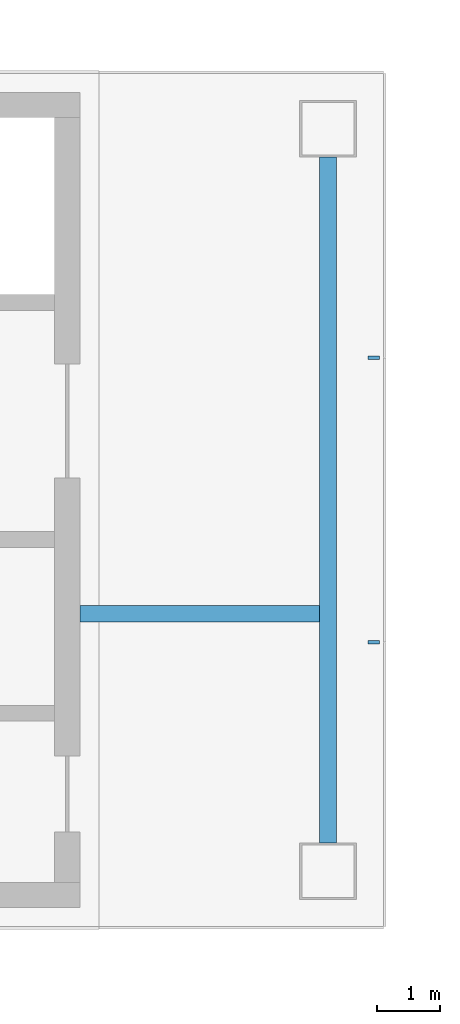
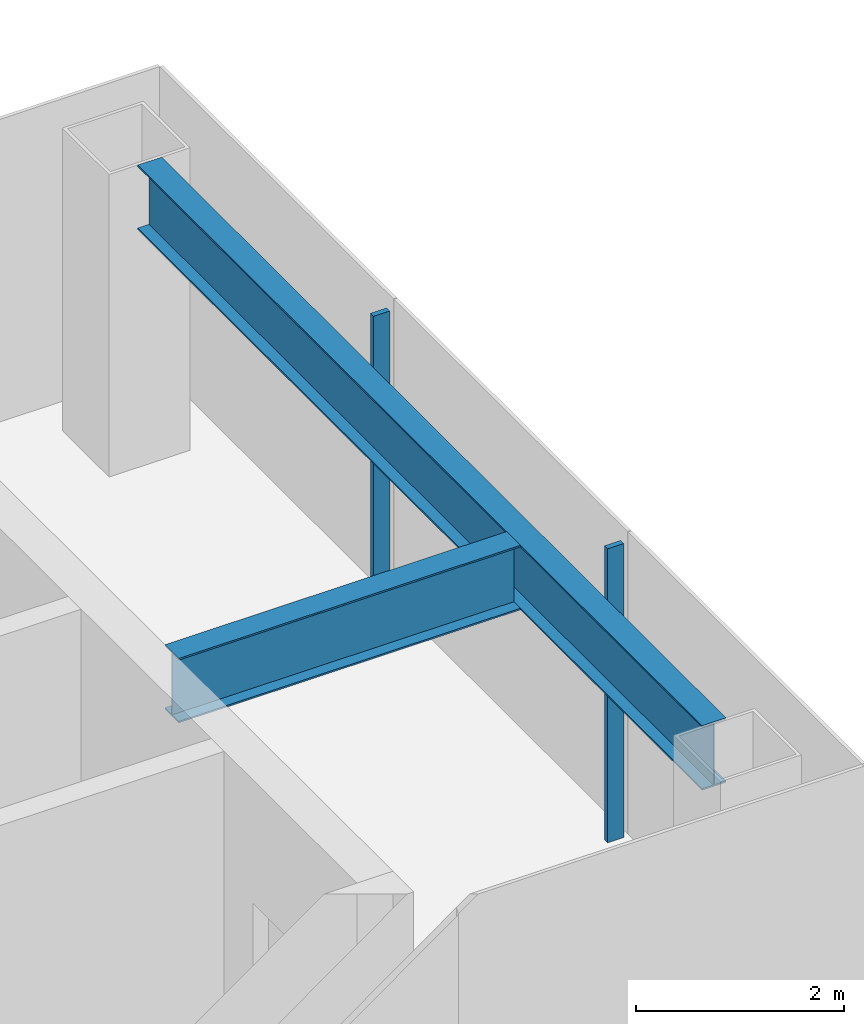
# One storey, part 4 of 16: 2 beams, 2 members, 1 element without a shape of its own.
"""IFC4 building model written with IfcOpenShell, lengths in metres."""

from ifc_helpers import new_model, si_unit, direction, frame, origin, origin_2d, place, context, subcontext, project, spatial, rectangle, i_section, extrude, material, layer, layer_set, material_profile, profile_set, type_object, element, aggregate, save


model = new_model("IFC4")

# Units and contexts
model_context = context("Model", 3, precision=1e-05, world=origin(), true_north=direction((0.0, 1.0)))
body_context = subcontext(model_context, "Body", "Model", "MODEL_VIEW")
ifc_project = project(units=[si_unit("LENGTHUNIT", "METRE"), si_unit("AREAUNIT", "SQUARE_METRE"), si_unit("VOLUMEUNIT", "CUBIC_METRE"), si_unit("PLANEANGLEUNIT", "RADIAN"), si_unit("MASSUNIT", "GRAM", prefix="KILO")], contexts=[model_context])

# Site, building, storey
site_placement = place(None, origin())
site = spatial("IfcSite", under=ifc_project, at=site_placement, CompositionType="ELEMENT")
building_placement = place(site_placement, origin())
building = spatial("IfcBuilding", under=site, at=building_placement, Name="Shamsa Quay Exchange Towers", CompositionType="ELEMENT")
storey_placement = place(building_placement, frame((0.0, 0.0, 246.0)))
storey = spatial("IfcBuildingStorey", under=building, at=storey_placement, Name="L59", CompositionType="ELEMENT", Elevation=246.0)

# Curtain wall, members
ifc_material_1 = material(Name="Aluminium EN AW-6063 T6, black anodised", Category="aluminium")
ifc_layer = layer(ifc_material_1, 0.280029296875)
ifc_layer_set = layer_set([ifc_layer], Name="CW-1 UNITISED VISION GLASS")
curtain_wall_type = type_object("IfcCurtainWallType", Name="CW-1 UNITISED VISION GLASS", PredefinedType="NOTDEFINED", material=ifc_layer_set)
curtain_wall_placement = place(storey_placement, origin())
curtain_wall = element("IfcCurtainWall", 1, at=curtain_wall_placement, inside=storey, type_object=curtain_wall_type, Name="CW1 T1-END-U+ L59", PredefinedType="NOTDEFINED")
ifc_material_profile_1 = material_profile(ifc_material_1, rectangle(XDim=0.179931640625, YDim=0.06005859375, at=origin_2d()), Name="MU60x180")
ifc_profile_set_1 = profile_set([ifc_material_profile_1], Name="Aluminium EN AW-6063 T6, black anodised")
member_type = type_object("IfcMemberType", Name="CW1 MULLION 60x180", PredefinedType="MULLION", material=ifc_profile_set_1)
member_1_placement = place(storey_placement, frame((-9.14990234375, -2.25, 0.0), z_axis=(0.0, 0.0, 1.0), x_axis=(-1.0, 0.0, 0.0)))
member_1 = element("IfcMember", 2, at=member_1_placement, type_object=member_type, Name="CW1 mullion", PredefinedType="MULLION", context=body_context, shape_type="SweptSolid", body=[
    extrude(rectangle(XDim=0.179931640625, YDim=0.06005859375, at=origin_2d()), origin(), (0.0, 0.0, 1.0), 3.449951171875),
])
member_2_placement = place(storey_placement, frame((-9.14990234375, 2.25, 0.0), z_axis=(0.0, 0.0, 1.0), x_axis=(-1.0, 0.0, 0.0)))
member_2 = element("IfcMember", 3, at=member_2_placement, type_object=member_type, Name="CW1 mullion", PredefinedType="MULLION", context=body_context, shape_type="SweptSolid", body=[
    extrude(rectangle(XDim=0.179931640625, YDim=0.06005859375, at=origin_2d()), origin(), (0.0, 0.0, 1.0), 3.449951171875),
])
aggregate(curtain_wall, [member_1, member_2])

# Beams
ifc_material_2 = material(Name="Steel S355", Category="steel")
ifc_material_profile_2 = material_profile(ifc_material_2, i_section(OverallWidth=0.26611328125, OverallDepth=0.7578125, WebThickness=0.013916015625, FlangeThickness=0.019287109375, at=origin_2d()), Name="W30x108")
ifc_profile_set_2 = profile_set([ifc_material_profile_2], Name="Steel S355")
beam_type = type_object("IfcBeamType", Name="End-zone beam W30x108", PredefinedType="BEAM", material=ifc_profile_set_2)
beam_1_placement = place(storey_placement, frame((-9.875, -5.425048828125, 3.171142578125), z_axis=(0.0, 1.0, 0.0), x_axis=(-1.0, 0.0, 0.0)))
element("IfcBeam", 4, at=beam_1_placement, inside=storey, type_object=beam_type, Name="End beam T1 U+ end zone L59", PredefinedType="BEAM", context=body_context, shape_type="SweptSolid", body=[
    extrude(i_section(OverallWidth=0.26611328125, OverallDepth=0.7578125, WebThickness=0.013916015625, FlangeThickness=0.019287109375, at=origin_2d()), origin(), (0.0, 0.0, 1.0), 10.85009765625),
])
beam_2_placement = place(storey_placement, frame((-13.800048828125, -1.800048828125, 3.171142578125), z_axis=(1.0, 0.0, 0.0), x_axis=(0.0, 1.0, 0.0)))
element("IfcBeam", 5, at=beam_2_placement, inside=storey, type_object=beam_type, Name="Spine beam T1 U+ end zone L59", PredefinedType="BEAM", context=body_context, shape_type="SweptSolid", body=[
    extrude(i_section(OverallWidth=0.26611328125, OverallDepth=0.7578125, WebThickness=0.013916015625, FlangeThickness=0.019287109375, at=origin_2d()), origin(), (0.0, 0.0, 1.0), 3.7919921875),
])

save(model, "model.ifc")
